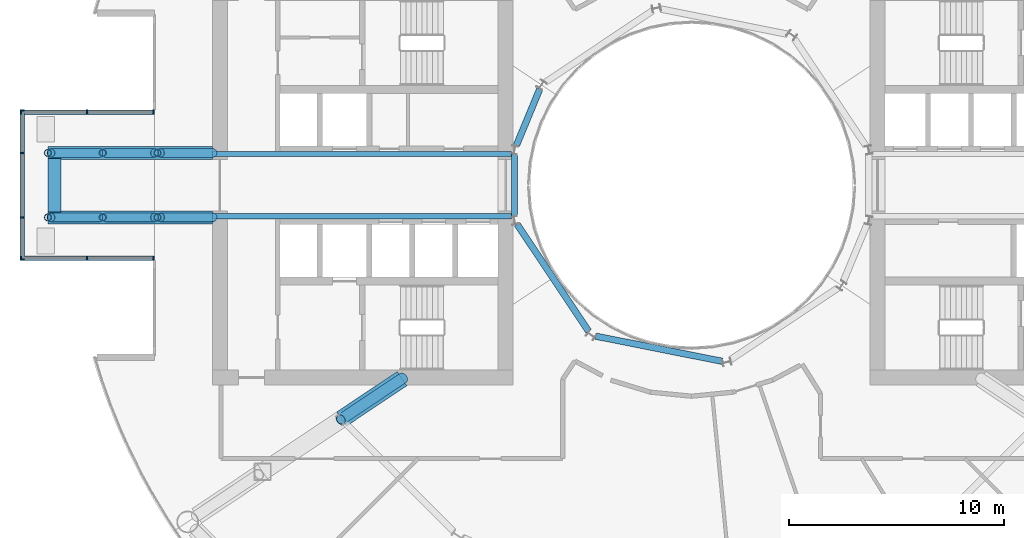
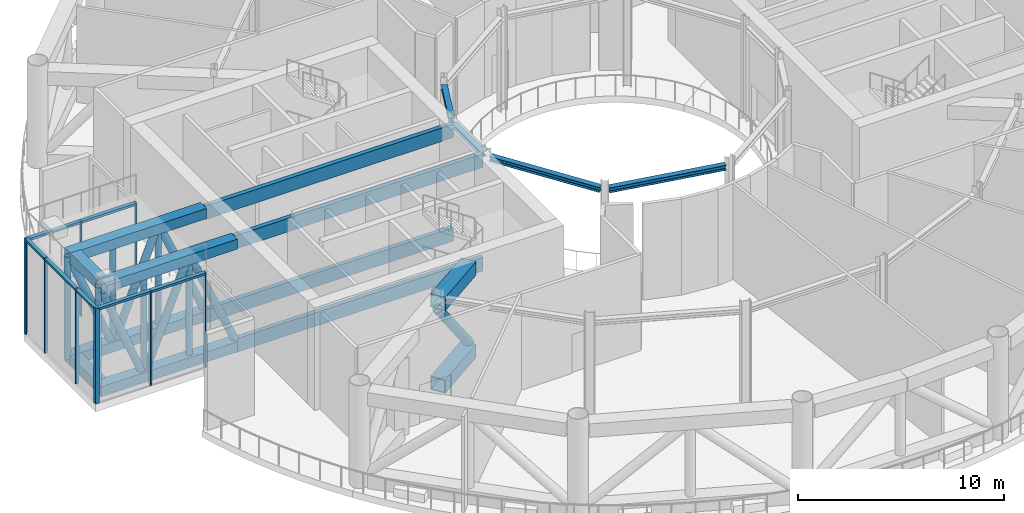
# One storey, part 6 of 23: 30 members, 16 beams, 3 elements without a shape of their own.
"""IFC4 building model written with IfcOpenShell, lengths in metres."""

from ifc_helpers import new_model, si_unit, direction, frame, origin, origin_2d, place, context, subcontext, project, spatial, rectangle, hollow_rectangle, hollow_circle, i_section, extrude, material, layer, layer_set, material_profile, profile_set, type_object, element, aggregate, save


model = new_model("IFC4")

# Units and contexts
model_context = context("Model", 3, precision=1e-05, world=origin(), true_north=direction((0.0, 1.0)))
body_context = subcontext(model_context, "Body", "Model", "MODEL_VIEW")
ifc_project = project(units=[si_unit("LENGTHUNIT", "METRE"), si_unit("AREAUNIT", "SQUARE_METRE"), si_unit("VOLUMEUNIT", "CUBIC_METRE"), si_unit("PLANEANGLEUNIT", "RADIAN"), si_unit("MASSUNIT", "GRAM", prefix="KILO")], contexts=[model_context])

# Site, building, storey
site_placement = place(None, origin())
site = spatial("IfcSite", under=ifc_project, at=site_placement, CompositionType="ELEMENT")
building_placement = place(site_placement, origin())
building = spatial("IfcBuilding", under=site, at=building_placement, Name="Maasbend Ring Residences", CompositionType="ELEMENT")
storey_placement = place(building_placement, frame((0.0, 0.0, 97.14990234375)))
storey = spatial("IfcBuildingStorey", under=building, at=storey_placement, Name="L28", CompositionType="ELEMENT", Elevation=97.14990234375)

# Curtain wall, members
ifc_material_1 = material(Name="Aluminium and clear glass", Category="aluminium")
ifc_layer = layer(ifc_material_1, 0.199951171875)
ifc_layer_set = layer_set([ifc_layer], Name="CW-GR")
curtain_wall_type = type_object("IfcCurtainWallType", Name="CW-GR", PredefinedType="NOTDEFINED", material=ifc_layer_set)
curtain_wall_1_placement = place(storey_placement, origin())
curtain_wall_1 = element("IfcCurtainWall", 1, at=curtain_wall_1_placement, inside=storey, type_object=curtain_wall_type, Name="Glass lounge curtain wall tip", PredefinedType="NOTDEFINED")
ifc_material_2 = material(Name="Aluminium 6063-T6", Category="aluminium")
ifc_material_profile_1 = material_profile(ifc_material_2, rectangle(XDim=0.199951171875, YDim=0.070068359375, at=origin_2d()), Name="AL 200x70")
ifc_profile_set_1 = profile_set([ifc_material_profile_1], Name="Aluminium 6063-T6")
member_type_1 = type_object("IfcMemberType", Name="CWM-GR", PredefinedType="MULLION", material=ifc_profile_set_1)
member_1_placement = place(storey_placement, frame((-31.14990234375, -3.465087890625, 0.0), z_axis=(0.0, 0.0, 1.0), x_axis=(-1.0, 0.0, 0.0)))
member_1 = element("IfcMember", 2, at=member_1_placement, type_object=member_type_1, Name="Mullion glass room", PredefinedType="MULLION", context=body_context, shape_type="SweptSolid", body=[
    extrude(rectangle(XDim=0.199951171875, YDim=0.070068359375, at=origin_2d()), origin(), (0.0, 0.0, 1.0), 5.650146484375),
])
member_2_placement = place(storey_placement, frame((-31.14990234375, -1.5, 0.0), z_axis=(0.0, 0.0, 1.0), x_axis=(-1.0, 0.0, 0.0)))
member_2 = element("IfcMember", 3, at=member_2_placement, type_object=member_type_1, Name="Mullion glass room", PredefinedType="MULLION", context=body_context, shape_type="SweptSolid", body=[
    extrude(rectangle(XDim=0.199951171875, YDim=0.070068359375, at=origin_2d()), origin(), (0.0, 0.0, 1.0), 5.650146484375),
])
member_3_placement = place(storey_placement, frame((-31.14990234375, 1.5, 0.0), z_axis=(0.0, 0.0, 1.0), x_axis=(-1.0, 0.0, 0.0)))
member_3 = element("IfcMember", 4, at=member_3_placement, type_object=member_type_1, Name="Mullion glass room", PredefinedType="MULLION", context=body_context, shape_type="SweptSolid", body=[
    extrude(rectangle(XDim=0.199951171875, YDim=0.070068359375, at=origin_2d()), origin(), (0.0, 0.0, 1.0), 5.650146484375),
])
member_4_placement = place(storey_placement, frame((-31.14990234375, 3.465087890625, 0.0), z_axis=(0.0, 0.0, 1.0), x_axis=(-1.0, 0.0, 0.0)))
member_4 = element("IfcMember", 5, at=member_4_placement, type_object=member_type_1, Name="Mullion glass room", PredefinedType="MULLION", context=body_context, shape_type="SweptSolid", body=[
    extrude(rectangle(XDim=0.199951171875, YDim=0.070068359375, at=origin_2d()), origin(), (0.0, 0.0, 1.0), 5.650146484375),
])

curtain_wall_2_placement = place(storey_placement, origin())
curtain_wall_2 = element("IfcCurtainWall", 6, at=curtain_wall_2_placement, inside=storey, type_object=curtain_wall_type, Name="Glass lounge curtain wall south", PredefinedType="NOTDEFINED")
member_5_placement = place(storey_placement, frame((-25.034912109375, -3.39990234375, 0.0), z_axis=(0.0, 0.0, 1.0), x_axis=(0.0, -1.0, 0.0)))
member_5 = element("IfcMember", 7, at=member_5_placement, type_object=member_type_1, Name="Mullion glass room", PredefinedType="MULLION", context=body_context, shape_type="SweptSolid", body=[
    extrude(rectangle(XDim=0.199951171875, YDim=0.070068359375, at=origin_2d()), origin(), (0.0, 0.0, 1.0), 5.650146484375),
])
member_6_placement = place(storey_placement, frame((-28.125, -3.39990234375, 0.0), z_axis=(0.0, 0.0, 1.0), x_axis=(0.0, -1.0, 0.0)))
member_6 = element("IfcMember", 8, at=member_6_placement, type_object=member_type_1, Name="Mullion glass room", PredefinedType="MULLION", context=body_context, shape_type="SweptSolid", body=[
    extrude(rectangle(XDim=0.199951171875, YDim=0.070068359375, at=origin_2d()), origin(), (0.0, 0.0, 1.0), 5.650146484375),
])
member_7_placement = place(storey_placement, frame((-31.215087890625, -3.39990234375, 0.0), z_axis=(0.0, 0.0, 1.0), x_axis=(0.0, -1.0, 0.0)))
member_7 = element("IfcMember", 9, at=member_7_placement, type_object=member_type_1, Name="Mullion glass room", PredefinedType="MULLION", context=body_context, shape_type="SweptSolid", body=[
    extrude(rectangle(XDim=0.199951171875, YDim=0.070068359375, at=origin_2d()), origin(), (0.0, 0.0, 1.0), 5.650146484375),
])

curtain_wall_3_placement = place(storey_placement, origin())
curtain_wall_3 = element("IfcCurtainWall", 10, at=curtain_wall_3_placement, inside=storey, type_object=curtain_wall_type, Name="Glass lounge curtain wall north", PredefinedType="NOTDEFINED")
member_8_placement = place(storey_placement, frame((-25.034912109375, 3.39990234375, 0.0), z_axis=(0.0, 0.0, 1.0), x_axis=(0.0, -1.0, 0.0)))
member_8 = element("IfcMember", 11, at=member_8_placement, type_object=member_type_1, Name="Mullion glass room", PredefinedType="MULLION", context=body_context, shape_type="SweptSolid", body=[
    extrude(rectangle(XDim=0.199951171875, YDim=0.070068359375, at=origin_2d()), origin(), (0.0, 0.0, 1.0), 5.650146484375),
])
member_9_placement = place(storey_placement, frame((-28.125, 3.39990234375, 0.0), z_axis=(0.0, 0.0, 1.0), x_axis=(0.0, -1.0, 0.0)))
member_9 = element("IfcMember", 12, at=member_9_placement, type_object=member_type_1, Name="Mullion glass room", PredefinedType="MULLION", context=body_context, shape_type="SweptSolid", body=[
    extrude(rectangle(XDim=0.199951171875, YDim=0.070068359375, at=origin_2d()), origin(), (0.0, 0.0, 1.0), 5.650146484375),
])
member_10_placement = place(storey_placement, frame((-31.215087890625, 3.39990234375, 0.0), z_axis=(0.0, 0.0, 1.0), x_axis=(0.0, -1.0, 0.0)))
member_10 = element("IfcMember", 13, at=member_10_placement, type_object=member_type_1, Name="Mullion glass room", PredefinedType="MULLION", context=body_context, shape_type="SweptSolid", body=[
    extrude(rectangle(XDim=0.199951171875, YDim=0.070068359375, at=origin_2d()), origin(), (0.0, 0.0, 1.0), 5.650146484375),
])

# Member
ifc_material_3 = material(Name="Aluminium 6063-T6", Category="aluminium")
ifc_material_profile_2 = material_profile(ifc_material_3, rectangle(XDim=0.199951171875, YDim=0.139892578125, at=origin_2d()), Name="AL 200x140")
ifc_profile_set_2 = profile_set([ifc_material_profile_2], Name="Aluminium 6063-T6")
member_type_2 = type_object("IfcMemberType", Name="CWT-GR", PredefinedType="USERDEFINED", material=ifc_profile_set_2)
member_11_placement = place(storey_placement, frame((-31.14990234375, -3.429931640625, 5.580078125), z_axis=(0.0, 1.0, 0.0), x_axis=(-1.0, 0.0, 0.0)))
member_11 = element("IfcMember", 14, at=member_11_placement, type_object=member_type_2, Name="Transom glass room", ObjectType="TRANSOM", PredefinedType="USERDEFINED", context=body_context, shape_type="SweptSolid", body=[
    extrude(rectangle(XDim=0.199951171875, YDim=0.139892578125, at=origin_2d()), origin(), (0.0, 0.0, 1.0), 1.89501953125),
])

member_12_placement = place(storey_placement, frame((-31.14990234375, -1.465087890625, 5.580078125), z_axis=(0.0, 1.0, 0.0), x_axis=(-1.0, 0.0, 0.0)))
member_12 = element("IfcMember", 15, at=member_12_placement, type_object=member_type_2, Name="Transom glass room", ObjectType="TRANSOM", PredefinedType="USERDEFINED", context=body_context, shape_type="SweptSolid", body=[
    extrude(rectangle(XDim=0.199951171875, YDim=0.139892578125, at=origin_2d()), origin(), (0.0, 0.0, 1.0), 2.93017578125),
])

member_13_placement = place(storey_placement, frame((-31.14990234375, 1.534912109375, 5.580078125), z_axis=(0.0, 1.0, 0.0), x_axis=(-1.0, 0.0, 0.0)))
member_13 = element("IfcMember", 16, at=member_13_placement, type_object=member_type_2, Name="Transom glass room", ObjectType="TRANSOM", PredefinedType="USERDEFINED", context=body_context, shape_type="SweptSolid", body=[
    extrude(rectangle(XDim=0.199951171875, YDim=0.139892578125, at=origin_2d()), origin(), (0.0, 0.0, 1.0), 1.89501953125),
])

aggregate(curtain_wall_1, [member_1, member_2, member_3, member_4, member_11, member_12, member_13])

member_14_placement = place(storey_placement, frame((-25.070068359375, -3.39990234375, 5.580078125), z_axis=(-1.0, 0.0, 0.0), x_axis=(0.0, -1.0, 0.0)))
member_14 = element("IfcMember", 17, at=member_14_placement, type_object=member_type_2, Name="Transom glass room", ObjectType="TRANSOM", PredefinedType="USERDEFINED", context=body_context, shape_type="SweptSolid", body=[
    extrude(rectangle(XDim=0.199951171875, YDim=0.139892578125, at=origin_2d()), origin(), (0.0, 0.0, 1.0), 3.02001953125),
])

member_15_placement = place(storey_placement, frame((-28.159912109375, -3.39990234375, 5.580078125), z_axis=(-1.0, 0.0, 0.0), x_axis=(0.0, -1.0, 0.0)))
member_15 = element("IfcMember", 18, at=member_15_placement, type_object=member_type_2, Name="Transom glass room", ObjectType="TRANSOM", PredefinedType="USERDEFINED", context=body_context, shape_type="SweptSolid", body=[
    extrude(rectangle(XDim=0.199951171875, YDim=0.139892578125, at=origin_2d()), origin(), (0.0, 0.0, 1.0), 3.02001953125),
])

aggregate(curtain_wall_2, [member_5, member_6, member_7, member_14, member_15])

member_16_placement = place(storey_placement, frame((-25.070068359375, 3.39990234375, 5.580078125), z_axis=(-1.0, 0.0, 0.0), x_axis=(0.0, -1.0, 0.0)))
member_16 = element("IfcMember", 19, at=member_16_placement, type_object=member_type_2, Name="Transom glass room", ObjectType="TRANSOM", PredefinedType="USERDEFINED", context=body_context, shape_type="SweptSolid", body=[
    extrude(rectangle(XDim=0.199951171875, YDim=0.139892578125, at=origin_2d()), origin(), (0.0, 0.0, 1.0), 3.02001953125),
])

member_17_placement = place(storey_placement, frame((-28.159912109375, 3.39990234375, 5.580078125), z_axis=(-1.0, 0.0, 0.0), x_axis=(0.0, -1.0, 0.0)))
member_17 = element("IfcMember", 20, at=member_17_placement, type_object=member_type_2, Name="Transom glass room", ObjectType="TRANSOM", PredefinedType="USERDEFINED", context=body_context, shape_type="SweptSolid", body=[
    extrude(rectangle(XDim=0.199951171875, YDim=0.139892578125, at=origin_2d()), origin(), (0.0, 0.0, 1.0), 3.02001953125),
])

aggregate(curtain_wall_3, [member_8, member_9, member_10, member_16, member_17])

# Beams
ifc_material_4 = material(Name="Steel S460M", Category="steel")
ifc_material_profile_3 = material_profile(ifc_material_4, hollow_rectangle(XDim=0.25, YDim=0.800048828125, WallThickness=0.02490234375, at=origin_2d()), Name="Glass room back-span beam BX 800x250x25")
ifc_profile_set_3 = profile_set([ifc_material_profile_3], Name="Steel S460M")
beam_type_1 = type_object("IfcBeamType", Name="Glass room back-span beam BX 800x250x25", PredefinedType="BEAM", material=ifc_profile_set_3)
for number, where, z_axis, x_axis, name in (
    (21, (-22.300048828125, -1.449951171875, -0.849853515625), (1.0, 0.0, 0.0), (0.0, 1.0, 0.0), "Glass room lower back-span beam W"),
    (22, (-22.300048828125, -1.449951171875, 5.300048828125), (1.0, 0.0, 0.0), (0.0, 1.0, 0.0), "Glass room back-span beam W"),
    (23, (-22.300048828125, 1.449951171875, -0.849853515625), (1.0, 0.0, 0.0), (0.0, 1.0, 0.0), "Glass room lower back-span beam W"),
    (24, (-22.300048828125, 1.449951171875, 5.300048828125), (1.0, 0.0, 0.0), (0.0, 1.0, 0.0), "Glass room back-span beam W"),
):
    element("IfcBeam", number, at=place(storey_placement, frame(where, z_axis=z_axis, x_axis=x_axis)), inside=storey, type_object=beam_type_1, Name=name, PredefinedType="BEAM", context=body_context, shape_type="SweptSolid", body=[
        extrude(hollow_rectangle(XDim=0.25, YDim=0.800048828125, WallThickness=0.02490234375, at=origin_2d()), origin(), (0.0, 0.0, 1.0), 13.930908203125),
    ])
ifc_material_5 = material(Name="Steel S460M", Category="steel")
ifc_material_profile_4 = material_profile(ifc_material_5, hollow_rectangle(XDim=0.60009765625, YDim=0.60009765625, WallThickness=0.035888671875, at=origin_2d()), Name="Glass room truss chord BX 600x600x36")
ifc_profile_set_4 = profile_set([ifc_material_profile_4], Name="Steel S460M")
beam_type_2 = type_object("IfcBeamType", Name="Glass room truss chord BX 600x600x36", PredefinedType="BEAM", material=ifc_profile_set_4)
for number, where, z_axis, x_axis, name in (
    (25, (-22.300048828125, -1.5, -0.75), (-1.0, 0.0, 0.0), (0.0, -1.0, 0.0), "Glass room truss W"),
    (26, (-22.300048828125, -1.5, 5.35009765625), (-1.0, 0.0, 0.0), (0.0, -1.0, 0.0), "Glass room truss W"),
):
    element("IfcBeam", number, at=place(storey_placement, frame(where, z_axis=z_axis, x_axis=x_axis)), inside=storey, type_object=beam_type_2, Name=name, PredefinedType="BEAM", context=body_context, shape_type="SweptSolid", body=[
        extrude(hollow_rectangle(XDim=0.60009765625, YDim=0.60009765625, WallThickness=0.035888671875, at=origin_2d()), origin(), (0.0, 0.0, 1.0), 7.64990234375),
    ])
for number, where, z_axis, x_axis, name in (
    (27, (-29.64990234375, -1.25, 5.35009765625), (0.0, 1.0, 0.0), (-1.0, 0.0, 0.0), "Glass room tip beam W"),
    (28, (-29.64990234375, -1.25, -0.75), (0.0, 1.0, 0.0), (-1.0, 0.0, 0.0), "Glass room lower tip beam W"),
):
    element("IfcBeam", number, at=place(storey_placement, frame(where, z_axis=z_axis, x_axis=x_axis)), inside=storey, type_object=beam_type_2, Name=name, PredefinedType="BEAM", context=body_context, shape_type="SweptSolid", body=[
        extrude(hollow_rectangle(XDim=0.60009765625, YDim=0.60009765625, WallThickness=0.035888671875, at=origin_2d()), origin(), (0.0, 0.0, 1.0), 2.5),
    ])
for number, where, z_axis, x_axis, name in (
    (29, (-22.300048828125, 1.5, -0.75), (-1.0, 0.0, 0.0), (0.0, -1.0, 0.0), "Glass room truss W"),
    (30, (-22.300048828125, 1.5, 5.35009765625), (-1.0, 0.0, 0.0), (0.0, -1.0, 0.0), "Glass room truss W"),
):
    element("IfcBeam", number, at=place(storey_placement, frame(where, z_axis=z_axis, x_axis=x_axis)), inside=storey, type_object=beam_type_2, Name=name, PredefinedType="BEAM", context=body_context, shape_type="SweptSolid", body=[
        extrude(hollow_rectangle(XDim=0.60009765625, YDim=0.60009765625, WallThickness=0.035888671875, at=origin_2d()), origin(), (0.0, 0.0, 1.0), 7.64990234375),
    ])

# Members
ifc_material_6 = material(Name="Steel S460NH", Category="steel")
ifc_material_profile_5 = material_profile(ifc_material_6, hollow_circle(Radius=0.203125, WallThickness=0.01611328125, at=origin_2d()), Name="Glass room truss diagonal CHS 406.4x16")
ifc_profile_set_5 = profile_set([ifc_material_profile_5], Name="Steel S460NH")
member_type_3 = type_object("IfcMemberType", Name="Glass room truss diagonal CHS 406.4x16", PredefinedType="BRACE", material=ifc_profile_set_5)
member_18_placement = place(storey_placement, frame((-22.2783203125, -1.5, -0.5), z_axis=(-0.398253752107, 0.0, 0.917275285251), x_axis=(0.0, -1.0, 0.0)))
element("IfcMember", 31, at=member_18_placement, inside=storey, type_object=member_type_3, Name="Glass room truss W diagonal", PredefinedType="BRACE", context=body_context, shape_type="SweptSolid", body=[
    extrude(hollow_circle(Radius=0.203125, WallThickness=0.01611328125, at=origin_2d()), origin(), (0.0, 0.0, 1.0), 6.105224609375),
])
for number, where, z_axis, x_axis, name in (
    (32, (-24.99169921875, -1.5, 5.10009765625), (-0.375177876588, 0.0, -0.926952836405), (0.0, -1.0, 0.0), "Glass room truss W diagonal"),
    (33, (-27.541748046875, -1.5, -0.5), (-0.375177876588, 0.0, 0.926952836405), (0.0, -1.0, 0.0), "Glass room truss W diagonal"),
):
    element("IfcMember", number, at=place(storey_placement, frame(where, z_axis=z_axis, x_axis=x_axis)), inside=storey, type_object=member_type_3, Name=name, PredefinedType="BRACE", context=body_context, shape_type="SweptSolid", body=[
        extrude(hollow_circle(Radius=0.203125, WallThickness=0.01611328125, at=origin_2d()), origin(), (0.0, 0.0, 1.0), 6.04150390625),
    ])
member_19_placement = place(storey_placement, frame((-22.2783203125, 1.5, -0.5), z_axis=(-0.398253752107, 0.0, 0.917275285251), x_axis=(0.0, -1.0, 0.0)))
element("IfcMember", 34, at=member_19_placement, inside=storey, type_object=member_type_3, Name="Glass room truss W diagonal", PredefinedType="BRACE", context=body_context, shape_type="SweptSolid", body=[
    extrude(hollow_circle(Radius=0.203125, WallThickness=0.01611328125, at=origin_2d()), origin(), (0.0, 0.0, 1.0), 6.105224609375),
])
for number, where, z_axis, x_axis, name in (
    (35, (-24.99169921875, 1.5, 5.10009765625), (-0.375177876588, 0.0, -0.926952836405), (0.0, -1.0, 0.0), "Glass room truss W diagonal"),
    (36, (-27.541748046875, 1.5, -0.5), (-0.375177876588, 0.0, 0.926952836405), (0.0, -1.0, 0.0), "Glass room truss W diagonal"),
):
    element("IfcMember", number, at=place(storey_placement, frame(where, z_axis=z_axis, x_axis=x_axis)), inside=storey, type_object=member_type_3, Name=name, PredefinedType="BRACE", context=body_context, shape_type="SweptSolid", body=[
        extrude(hollow_circle(Radius=0.203125, WallThickness=0.01611328125, at=origin_2d()), origin(), (0.0, 0.0, 1.0), 6.04150390625),
    ])
ifc_material_7 = material(Name="Steel S460NH", Category="steel")
ifc_material_profile_6 = material_profile(ifc_material_7, hollow_circle(Radius=0.161865234375, WallThickness=0.012451171875, at=origin_2d()), Name="Glass room truss post CHS 323.9x12.5")
ifc_profile_set_6 = profile_set([ifc_material_profile_6], Name="Steel S460NH")
member_type_4 = type_object("IfcMemberType", Name="Glass room truss post CHS 323.9x12.5", PredefinedType="POST", material=ifc_profile_set_6)
for number, where, z_axis, x_axis, name in (
    (37, (-24.85009765625, -1.5, -0.449951171875), (0.0, 0.0, 1.0), (1.0, 0.0, 0.0), "Glass room truss W post"),
    (38, (-27.39990234375, -1.5, -0.449951171875), (0.0, 0.0, 1.0), (1.0, 0.0, 0.0), "Glass room truss W post"),
):
    element("IfcMember", number, at=place(storey_placement, frame(where, z_axis=z_axis, x_axis=x_axis)), inside=storey, type_object=member_type_4, Name=name, PredefinedType="POST", context=body_context, shape_type="SweptSolid", body=[
        extrude(hollow_circle(Radius=0.161865234375, WallThickness=0.012451171875, at=origin_2d()), origin(), (0.0, 0.0, 1.0), 5.5),
    ])
member_20_placement = place(storey_placement, frame((-29.949951171875, -1.5, -0.75), z_axis=(0.0, 0.0, 1.0), x_axis=(1.0, 0.0, 0.0)))
element("IfcMember", 39, at=member_20_placement, inside=storey, type_object=member_type_4, Name="Glass room truss W post", PredefinedType="POST", context=body_context, shape_type="SweptSolid", body=[
    extrude(hollow_circle(Radius=0.161865234375, WallThickness=0.012451171875, at=origin_2d()), origin(), (0.0, 0.0, 1.0), 6.10009765625),
])
for number, where, z_axis, x_axis, name in (
    (40, (-24.85009765625, 1.5, -0.449951171875), (0.0, 0.0, 1.0), (1.0, 0.0, 0.0), "Glass room truss W post"),
    (41, (-27.39990234375, 1.5, -0.449951171875), (0.0, 0.0, 1.0), (1.0, 0.0, 0.0), "Glass room truss W post"),
):
    element("IfcMember", number, at=place(storey_placement, frame(where, z_axis=z_axis, x_axis=x_axis)), inside=storey, type_object=member_type_4, Name=name, PredefinedType="POST", context=body_context, shape_type="SweptSolid", body=[
        extrude(hollow_circle(Radius=0.161865234375, WallThickness=0.012451171875, at=origin_2d()), origin(), (0.0, 0.0, 1.0), 5.5),
    ])
member_21_placement = place(storey_placement, frame((-29.949951171875, 1.5, -0.75), z_axis=(0.0, 0.0, 1.0), x_axis=(1.0, 0.0, 0.0)))
element("IfcMember", 42, at=member_21_placement, inside=storey, type_object=member_type_4, Name="Glass room truss W post", PredefinedType="POST", context=body_context, shape_type="SweptSolid", body=[
    extrude(hollow_circle(Radius=0.161865234375, WallThickness=0.012451171875, at=origin_2d()), origin(), (0.0, 0.0, 1.0), 6.10009765625),
])

# Beams
ifc_material_8 = material(Name="Steel S460M", Category="steel")
ifc_material_profile_7 = material_profile(ifc_material_8, hollow_rectangle(XDim=0.800048828125, YDim=0.800048828125, WallThickness=0.0400390625, at=origin_2d()), Name="Outrigger truss chord BX 800x800x40")
ifc_profile_set_7 = profile_set([ifc_material_profile_7], Name="Steel S460M")
beam_type_3 = type_object("IfcBeamType", Name="Outrigger truss chord BX 800x800x40", PredefinedType="BEAM", material=ifc_profile_set_7)
for number, where, z_axis, x_axis, name in (
    (43, (-16.2900390625, -10.884765625, 0.400146484375), (0.831451918965, 0.555596712058, 0.0), (-0.555596712058, 0.831451918965, 0.0), "Outrigger truss"),
    (44, (-16.2900390625, -10.884765625, 5.300048828125), (0.831451918965, 0.555596712058, 0.0), (-0.555596712058, 0.831451918965, 0.0), "Outrigger truss"),
):
    element("IfcBeam", number, at=place(storey_placement, frame(where, z_axis=z_axis, x_axis=x_axis)), inside=storey, type_object=beam_type_3, Name=name, PredefinedType="BEAM", context=body_context, shape_type="SweptSolid", body=[
        extrude(hollow_rectangle(XDim=0.800048828125, YDim=0.800048828125, WallThickness=0.0400390625, at=origin_2d()), origin(), (0.0, 0.0, 1.0), 3.392333984375),
    ])

# Member
ifc_material_9 = material(Name="Steel S460NH", Category="steel")
ifc_material_profile_8 = material_profile(ifc_material_9, hollow_circle(Radius=0.25390625, WallThickness=0.02490234375, at=origin_2d()), Name="Outrigger truss diagonal CHS 508x25")
ifc_profile_set_8 = profile_set([ifc_material_profile_8], Name="Steel S460NH")
member_type_5 = type_object("IfcMemberType", Name="Outrigger truss diagonal CHS 508x25", PredefinedType="BRACE", material=ifc_profile_set_8)
member_22_placement = place(storey_placement, frame((-16.324462890625, -10.90771484375, 4.9501953125), z_axis=(0.530029775018, 0.354159312281, -0.770480122468), x_axis=(-0.555575372709, 0.831466178049, 0.0)))
element("IfcMember", 45, at=member_22_placement, inside=storey, type_object=member_type_5, Name="Outrigger truss diagonal", PredefinedType="BRACE", context=body_context, shape_type="SweptSolid", body=[
    extrude(hollow_circle(Radius=0.25390625, WallThickness=0.02490234375, at=origin_2d()), origin(), (0.0, 0.0, 1.0), 5.451416015625),
])

# Beams
ifc_material_10 = material(Name="Steel S355J2", Category="steel")
ifc_material_profile_9 = material_profile(ifc_material_10, i_section(OverallWidth=0.300048828125, OverallDepth=0.300048828125, WebThickness=0.010986328125, FlangeThickness=0.01904296875, FilletRadius=0.027099609375, at=origin_2d()), Name="HEB 300")
ifc_profile_set_9 = profile_set([ifc_material_profile_9], Name="Steel S355J2")
beam_type_4 = type_object("IfcBeamType", Name="Well edge beam HEB 300", PredefinedType="BEAM", material=ifc_profile_set_9)
beam_1_placement = place(storey_placement, frame((-7.062255859375, 4.478515625, 5.550048828125), z_axis=(-0.382729955172, -0.923860260761, 0.0), x_axis=(0.923860260761, -0.382729955172, 0.0)))
element("IfcBeam", 46, at=beam_1_placement, inside=storey, type_object=beam_type_4, Name="Well edge beam", PredefinedType="BEAM", context=body_context, shape_type="SweptSolid", body=[
    extrude(i_section(OverallWidth=0.300048828125, OverallDepth=0.300048828125, WebThickness=0.010986328125, FlangeThickness=0.01904296875, FilletRadius=0.027099609375, at=origin_2d()), origin(), (0.0, 0.0, 1.0), 2.869873046875),
])
beam_2_placement = place(storey_placement, frame((-8.238525390625, 1.434814453125, 5.550048828125), z_axis=(0.0, -1.0, 0.0), x_axis=(1.0, 0.0, 0.0)))
element("IfcBeam", 47, at=beam_2_placement, inside=storey, type_object=beam_type_4, Name="Well edge beam", PredefinedType="BEAM", context=body_context, shape_type="SweptSolid", body=[
    extrude(i_section(OverallWidth=0.300048828125, OverallDepth=0.300048828125, WebThickness=0.010986328125, FlangeThickness=0.01904296875, FilletRadius=0.027099609375, at=origin_2d()), origin(), (0.0, 0.0, 1.0), 2.86962890625),
])
beam_3_placement = place(storey_placement, frame((-8.118408203125, -1.81884765625, 5.550048828125), z_axis=(0.555592533493, -0.83145471117, 0.0), x_axis=(0.83145471117, 0.555592533493, 0.0)))
element("IfcBeam", 48, at=beam_3_placement, inside=storey, type_object=beam_type_4, Name="Well edge beam", PredefinedType="BEAM", context=body_context, shape_type="SweptSolid", body=[
    extrude(i_section(OverallWidth=0.300048828125, OverallDepth=0.300048828125, WebThickness=0.010986328125, FlangeThickness=0.01904296875, FilletRadius=0.027099609375, at=origin_2d()), origin(), (0.0, 0.0, 1.0), 5.995849609375),
])
beam_4_placement = place(storey_placement, frame((-4.45458984375, -7.026611328125, 5.550048828125), z_axis=(0.980789954577, -0.195066821885, 0.0), x_axis=(0.195066821885, 0.980789954577, 0.0)))
element("IfcBeam", 49, at=beam_4_placement, inside=storey, type_object=beam_type_4, Name="Well edge beam", PredefinedType="BEAM", context=body_context, shape_type="SweptSolid", body=[
    extrude(i_section(OverallWidth=0.300048828125, OverallDepth=0.300048828125, WebThickness=0.010986328125, FlangeThickness=0.01904296875, FilletRadius=0.027099609375, at=origin_2d()), origin(), (0.0, 0.0, 1.0), 5.996337890625),
])

save(model, "model.ifc")
